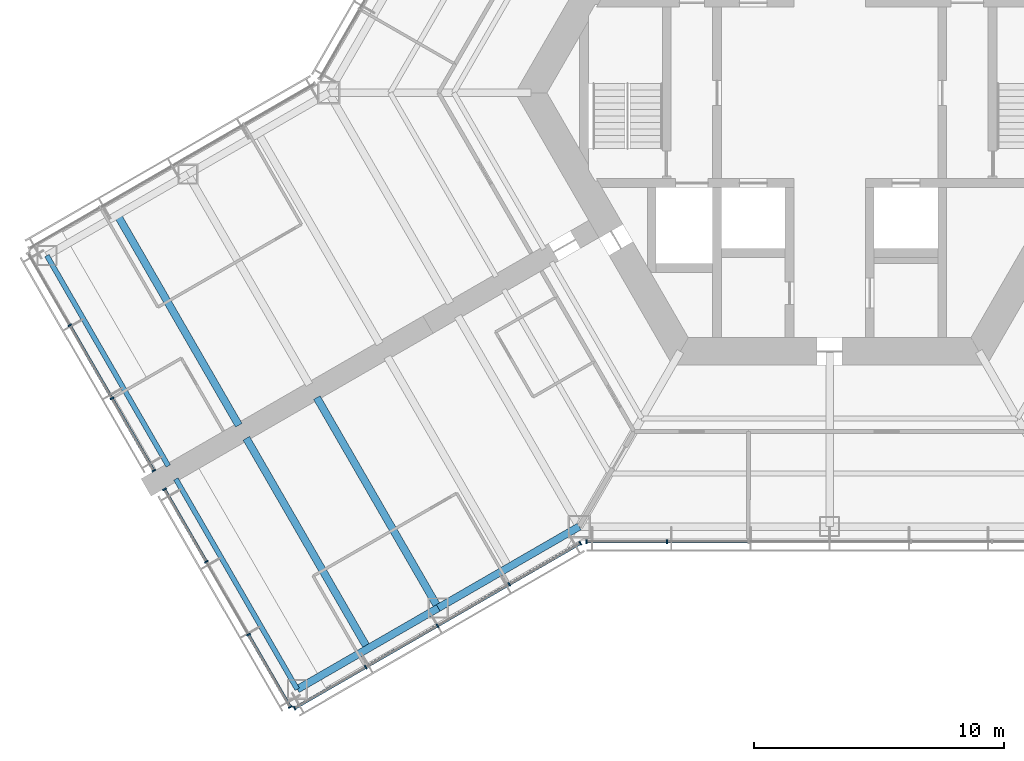
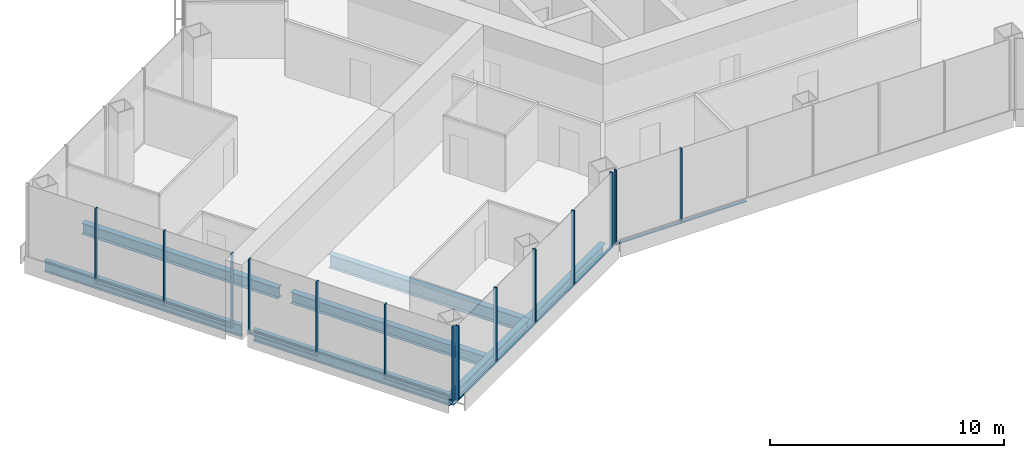
# One storey, part 2 of 18: 24 members, 7 beams, 4 elements without a shape of their own.
"""IFC4 building model written with IfcOpenShell, lengths in metres."""

from ifc_helpers import new_model, si_unit, direction, frame, origin, origin_2d, place, context, subcontext, project, spatial, rectangle, i_section, extrude, material, material_profile, profile_set, type_object, element, aggregate, save


model = new_model("IFC4")

# Units and contexts
model_context = context("Model", 3, precision=1e-05, world=origin(), true_north=direction((0.0, 1.0)))
body_context = subcontext(model_context, "Body", "Model", "MODEL_VIEW")
ifc_project = project(units=[si_unit("LENGTHUNIT", "METRE"), si_unit("AREAUNIT", "SQUARE_METRE"), si_unit("VOLUMEUNIT", "CUBIC_METRE"), si_unit("PLANEANGLEUNIT", "RADIAN"), si_unit("MASSUNIT", "GRAM", prefix="KILO")], contexts=[model_context])

# Site, building, storey
site_placement = place(None, origin())
site = spatial("IfcSite", under=ifc_project, at=site_placement, CompositionType="ELEMENT")
building_placement = place(site_placement, origin())
building = spatial("IfcBuilding", under=site, at=building_placement, Name="Kasaneha Research Tower", CompositionType="ELEMENT")
storey_placement = place(building_placement, frame((0.0, 0.0, 72.89990234375)))
storey = spatial("IfcBuildingStorey", under=building, at=storey_placement, Name="L18", CompositionType="ELEMENT", Elevation=72.89990234375)

# Beams
ifc_material_1 = material(Name="Steel SN490B", Category="steel")
ifc_material_profile_1 = material_profile(ifc_material_1, i_section(OverallWidth=0.300048828125, OverallDepth=0.58203125, WebThickness=0.011962890625, FlangeThickness=0.01708984375, FilletRadius=0.012939453125, at=origin_2d()), Name="H-582x300x12x17")
ifc_profile_set_1 = profile_set([ifc_material_profile_1], Name="Steel SN490B")
beam_type_1 = type_object("IfcBeamType", Name="B2-3 secondary beam H-582x300x12x17", PredefinedType="JOIST", material=ifc_profile_set_1)
for number, where, z_axis, x_axis, name in (
    (1, (-28.44384765625, -4.875, -0.44091796875), (0.500010041276, -0.866019606374, 0.0), (0.866019606374, 0.500010041276, 0.0), "Secondary beam WBBP2 L18"),
    (2, (-18.44384765625, -22.195556640625, -0.44091796875), (-0.499991164321, 0.866030505006, 0.0), (-0.866030505006, -0.499991164321, 0.0), "Secondary beam WBBN2 L18"),
):
    element("IfcBeam", number, at=place(storey_placement, frame(where, z_axis=z_axis, x_axis=x_axis)), inside=storey, type_object=beam_type_1, Name=name, PredefinedType="JOIST", context=body_context, shape_type="SweptSolid", body=[
        extrude(i_section(OverallWidth=0.300048828125, OverallDepth=0.58203125, WebThickness=0.011962890625, FlangeThickness=0.01708984375, FilletRadius=0.012939453125, at=origin_2d()), origin(), (0.0, 0.0, 1.0), 9.699951171875),
    ])

# Curtain wall, members
ifc_material_2 = material(Name="Glass and aluminium", Category="aluminium")
curtain_wall_type = type_object("IfcCurtainWallType", Name="Low-rise office curtain wall", PredefinedType="USERDEFINED", material=ifc_material_2)
curtain_wall_1_placement = place(storey_placement, origin())
curtain_wall_1 = element("IfcCurtainWall", 3, at=curtain_wall_1_placement, inside=storey, type_object=curtain_wall_type, Name="CW-O1 L18 run 01a", ObjectType="UNITISED CURTAIN WALL", PredefinedType="USERDEFINED")
ifc_material_3 = material(Name="Aluminium 6063-T6", Category="aluminium")
ifc_material_profile_2 = material_profile(ifc_material_3, rectangle(XDim=0.06005859375, YDim=0.159912109375, at=origin_2d()), Name="CW-O1 mullion 60x160")
ifc_profile_set_2 = profile_set([ifc_material_profile_2], Name="Aluminium 6063-T6")
member_type_1 = type_object("IfcMemberType", Name="CW-O1 mullion", PredefinedType="MULLION", material=ifc_profile_set_2)
member_1_placement = place(storey_placement, frame((-21.365478515625, -24.5751953125, 0.0), z_axis=(0.0, 0.0, 1.0), x_axis=(0.866025411464, 0.499999986699, 0.0)))
member_1 = element("IfcMember", 4, at=member_1_placement, type_object=member_type_1, Name="CW-O1 mullion 1", PredefinedType="MULLION", context=body_context, shape_type="SweptSolid", body=[
    extrude(rectangle(XDim=0.06005859375, YDim=0.159912109375, at=origin_2d()), origin(), (0.0, 0.0, 1.0), 3.900146484375),
])
member_2_placement = place(storey_placement, frame((-18.52490234375, -22.935302734375, 0.0), z_axis=(0.0, 0.0, 1.0), x_axis=(0.866025411464, 0.499999986699, 0.0)))
member_2 = element("IfcMember", 5, at=member_2_placement, type_object=member_type_1, Name="CW-O1 mullion 2", PredefinedType="MULLION", context=body_context, shape_type="SweptSolid", body=[
    extrude(rectangle(XDim=0.06005859375, YDim=0.159912109375, at=origin_2d()), origin(), (0.0, 0.0, 1.0), 3.900146484375),
])
member_3_placement = place(storey_placement, frame((-15.65869140625, -21.2802734375, 0.0), z_axis=(0.0, 0.0, 1.0), x_axis=(0.866025411464, 0.499999986699, 0.0)))
member_3 = element("IfcMember", 6, at=member_3_placement, type_object=member_type_1, Name="CW-O1 mullion 3", PredefinedType="MULLION", context=body_context, shape_type="SweptSolid", body=[
    extrude(rectangle(XDim=0.06005859375, YDim=0.159912109375, at=origin_2d()), origin(), (0.0, 0.0, 1.0), 3.900146484375),
])
member_4_placement = place(storey_placement, frame((-12.792236328125, -19.62548828125, 0.0), z_axis=(0.0, 0.0, 1.0), x_axis=(0.866025411464, 0.499999986699, 0.0)))
member_4 = element("IfcMember", 7, at=member_4_placement, type_object=member_type_1, Name="CW-O1 mullion 4", PredefinedType="MULLION", context=body_context, shape_type="SweptSolid", body=[
    extrude(rectangle(XDim=0.06005859375, YDim=0.159912109375, at=origin_2d()), origin(), (0.0, 0.0, 1.0), 3.900146484375),
])
member_5_placement = place(storey_placement, frame((-9.951904296875, -17.985595703125, 0.0), z_axis=(0.0, 0.0, 1.0), x_axis=(0.866025411464, 0.499999986699, 0.0)))
member_5 = element("IfcMember", 8, at=member_5_placement, type_object=member_type_1, Name="CW-O1 mullion 5", PredefinedType="MULLION", context=body_context, shape_type="SweptSolid", body=[
    extrude(rectangle(XDim=0.06005859375, YDim=0.159912109375, at=origin_2d()), origin(), (0.0, 0.0, 1.0), 3.900146484375),
])

curtain_wall_2_placement = place(storey_placement, origin())
curtain_wall_2 = element("IfcCurtainWall", 9, at=curtain_wall_2_placement, inside=storey, type_object=curtain_wall_type, Name="CW-O1 L18 run 02a", ObjectType="UNITISED CURTAIN WALL", PredefinedType="USERDEFINED")
member_6_placement = place(storey_placement, frame((-9.709228515625, -17.92041015625, 0.0), z_axis=(0.0, 0.0, 1.0), x_axis=(1.0, 0.0, 0.0)))
member_6 = element("IfcMember", 10, at=member_6_placement, type_object=member_type_1, Name="CW-O1 mullion 1", PredefinedType="MULLION", context=body_context, shape_type="SweptSolid", body=[
    extrude(rectangle(XDim=0.06005859375, YDim=0.159912109375, at=origin_2d()), origin(), (0.0, 0.0, 1.0), 3.900146484375),
])
member_7_placement = place(storey_placement, frame((-6.492919921875, -17.92041015625, 0.0), z_axis=(0.0, 0.0, 1.0), x_axis=(1.0, 0.0, 0.0)))
member_7 = element("IfcMember", 11, at=member_7_placement, type_object=member_type_1, Name="CW-O1 mullion 2", PredefinedType="MULLION", context=body_context, shape_type="SweptSolid", body=[
    extrude(rectangle(XDim=0.06005859375, YDim=0.159912109375, at=origin_2d()), origin(), (0.0, 0.0, 1.0), 3.900146484375),
])

curtain_wall_3_placement = place(storey_placement, origin())
curtain_wall_3 = element("IfcCurtainWall", 12, at=curtain_wall_3_placement, inside=storey, type_object=curtain_wall_type, Name="CW-O1 L18 run 14a", ObjectType="UNITISED CURTAIN WALL", PredefinedType="USERDEFINED")
member_8_placement = place(storey_placement, frame((-30.3447265625, -9.28271484375, 0.0), z_axis=(0.0, 0.0, 1.0), x_axis=(0.500000011442, -0.866025397178, 0.0)))
member_8 = element("IfcMember", 13, at=member_8_placement, type_object=member_type_1, Name="CW-O1 mullion 2", PredefinedType="MULLION", context=body_context, shape_type="SweptSolid", body=[
    extrude(rectangle(XDim=0.06005859375, YDim=0.159912109375, at=origin_2d()), origin(), (0.0, 0.0, 1.0), 3.900146484375),
])
member_9_placement = place(storey_placement, frame((-28.661376953125, -12.1982421875, 0.0), z_axis=(0.0, 0.0, 1.0), x_axis=(0.500000011442, -0.866025397178, 0.0)))
member_9 = element("IfcMember", 14, at=member_9_placement, type_object=member_type_1, Name="CW-O1 mullion 3", PredefinedType="MULLION", context=body_context, shape_type="SweptSolid", body=[
    extrude(rectangle(XDim=0.06005859375, YDim=0.159912109375, at=origin_2d()), origin(), (0.0, 0.0, 1.0), 3.900146484375),
])
member_10_placement = place(storey_placement, frame((-26.992919921875, -15.087890625, 0.0), z_axis=(0.0, 0.0, 1.0), x_axis=(0.500000011442, -0.866025397178, 0.0)))
member_10 = element("IfcMember", 15, at=member_10_placement, type_object=member_type_1, Name="CW-O1 mullion 4", PredefinedType="MULLION", context=body_context, shape_type="SweptSolid", body=[
    extrude(rectangle(XDim=0.06005859375, YDim=0.159912109375, at=origin_2d()), origin(), (0.0, 0.0, 1.0), 3.900146484375),
])

curtain_wall_4_placement = place(storey_placement, origin())
curtain_wall_4 = element("IfcCurtainWall", 16, at=curtain_wall_4_placement, inside=storey, type_object=curtain_wall_type, Name="CW-O1 L18 run 15a", ObjectType="UNITISED CURTAIN WALL", PredefinedType="USERDEFINED")
member_11_placement = place(storey_placement, frame((-26.56298828125, -15.832763671875, 0.0), z_axis=(0.0, 0.0, 1.0), x_axis=(0.500000011442, -0.866025397178, 0.0)))
member_11 = element("IfcMember", 17, at=member_11_placement, type_object=member_type_1, Name="CW-O1 mullion 1", PredefinedType="MULLION", context=body_context, shape_type="SweptSolid", body=[
    extrude(rectangle(XDim=0.06005859375, YDim=0.159912109375, at=origin_2d()), origin(), (0.0, 0.0, 1.0), 3.900146484375),
])
member_12_placement = place(storey_placement, frame((-24.89453125, -18.72216796875, 0.0), z_axis=(0.0, 0.0, 1.0), x_axis=(0.500000011442, -0.866025397178, 0.0)))
member_12 = element("IfcMember", 18, at=member_12_placement, type_object=member_type_1, Name="CW-O1 mullion 2", PredefinedType="MULLION", context=body_context, shape_type="SweptSolid", body=[
    extrude(rectangle(XDim=0.06005859375, YDim=0.159912109375, at=origin_2d()), origin(), (0.0, 0.0, 1.0), 3.900146484375),
])
member_13_placement = place(storey_placement, frame((-23.211181640625, -21.637939453125, 0.0), z_axis=(0.0, 0.0, 1.0), x_axis=(0.500000011442, -0.866025397178, 0.0)))
member_13 = element("IfcMember", 19, at=member_13_placement, type_object=member_type_1, Name="CW-O1 mullion 3", PredefinedType="MULLION", context=body_context, shape_type="SweptSolid", body=[
    extrude(rectangle(XDim=0.06005859375, YDim=0.159912109375, at=origin_2d()), origin(), (0.0, 0.0, 1.0), 3.900146484375),
])
member_14_placement = place(storey_placement, frame((-21.54296875, -24.527587890625, 0.0), z_axis=(0.0, 0.0, 1.0), x_axis=(0.500000011442, -0.866025397178, 0.0)))
member_14 = element("IfcMember", 20, at=member_14_placement, type_object=member_type_1, Name="CW-O1 mullion 4", PredefinedType="MULLION", context=body_context, shape_type="SweptSolid", body=[
    extrude(rectangle(XDim=0.06005859375, YDim=0.159912109375, at=origin_2d()), origin(), (0.0, 0.0, 1.0), 3.900146484375),
])

# Member
ifc_material_4 = material(Name="Aluminium 6063-T6", Category="aluminium")
ifc_material_profile_3 = material_profile(ifc_material_4, rectangle(XDim=0.1201171875, YDim=0.06005859375, at=origin_2d()), Name="CW-O1 transom 120x60")
ifc_profile_set_3 = profile_set([ifc_material_profile_3], Name="Aluminium 6063-T6")
member_type_2 = type_object("IfcMemberType", Name="CW-O1 transom", PredefinedType="USERDEFINED", material=ifc_profile_set_3)
member_15_placement = place(storey_placement, frame((-21.33935546875, -24.56005859375, 0.030029296875), z_axis=(0.866022692473, 0.500004696101, 0.0), x_axis=(-0.500004696101, 0.866022692473, 0.0)))
member_15 = element("IfcMember", 21, at=member_15_placement, type_object=member_type_2, Name="CW-O1 transom 1", ObjectType="TRANSOM", PredefinedType="USERDEFINED", context=body_context, shape_type="SweptSolid", body=[
    extrude(rectangle(XDim=0.1201171875, YDim=0.06005859375, at=origin_2d()), origin(), (0.0, 0.0, 1.0), 3.2197265625),
])

member_16_placement = place(storey_placement, frame((-18.4990234375, -22.920166015625, 0.030029296875), z_axis=(0.86604797581, 0.499960902066, 0.0), x_axis=(-0.499960902066, 0.86604797581, 0.0)))
member_16 = element("IfcMember", 22, at=member_16_placement, type_object=member_type_2, Name="CW-O1 transom 2", ObjectType="TRANSOM", PredefinedType="USERDEFINED", context=body_context, shape_type="SweptSolid", body=[
    extrude(rectangle(XDim=0.1201171875, YDim=0.06005859375, at=origin_2d()), origin(), (0.0, 0.0, 1.0), 3.249755859375),
])

member_17_placement = place(storey_placement, frame((-15.632568359375, -21.265380859375, 0.030029296875), z_axis=(0.866015446554, 0.500017246033, 0.0), x_axis=(-0.500017246033, 0.866015446554, 0.0)))
member_17 = element("IfcMember", 23, at=member_17_placement, type_object=member_type_2, Name="CW-O1 transom 3", ObjectType="TRANSOM", PredefinedType="USERDEFINED", context=body_context, shape_type="SweptSolid", body=[
    extrude(rectangle(XDim=0.1201171875, YDim=0.06005859375, at=origin_2d()), origin(), (0.0, 0.0, 1.0), 3.25),
])

member_18_placement = place(storey_placement, frame((-12.76611328125, -19.6103515625, 0.030029296875), z_axis=(0.866022692473, 0.500004696101, 0.0), x_axis=(-0.500004696101, 0.866022692473, 0.0)))
member_18 = element("IfcMember", 24, at=member_18_placement, type_object=member_type_2, Name="CW-O1 transom 4", ObjectType="TRANSOM", PredefinedType="USERDEFINED", context=body_context, shape_type="SweptSolid", body=[
    extrude(rectangle(XDim=0.1201171875, YDim=0.06005859375, at=origin_2d()), origin(), (0.0, 0.0, 1.0), 3.2197265625),
])

aggregate(curtain_wall_1, [member_1, member_2, member_3, member_4, member_5, member_15, member_16, member_17, member_18])

member_19_placement = place(storey_placement, frame((-9.67919921875, -17.92041015625, 0.030029296875), z_axis=(1.0, 0.0, 0.0), x_axis=(0.0, 1.0, 0.0)))
member_19 = element("IfcMember", 25, at=member_19_placement, type_object=member_type_2, Name="CW-O1 transom 1", ObjectType="TRANSOM", PredefinedType="USERDEFINED", context=body_context, shape_type="SweptSolid", body=[
    extrude(rectangle(XDim=0.1201171875, YDim=0.06005859375, at=origin_2d()), origin(), (0.0, 0.0, 1.0), 3.156494140625),
])

member_20_placement = place(storey_placement, frame((-6.462890625, -17.92041015625, 0.030029296875), z_axis=(1.0, 0.0, 0.0), x_axis=(0.0, 1.0, 0.0)))
member_20 = element("IfcMember", 26, at=member_20_placement, type_object=member_type_2, Name="CW-O1 transom 2", ObjectType="TRANSOM", PredefinedType="USERDEFINED", context=body_context, shape_type="SweptSolid", body=[
    extrude(rectangle(XDim=0.1201171875, YDim=0.06005859375, at=origin_2d()), origin(), (0.0, 0.0, 1.0), 3.1865234375),
])

aggregate(curtain_wall_2, [member_6, member_7, member_19, member_20])

member_21_placement = place(storey_placement, frame((-30.32958984375, -9.30859375, 0.030029296875), z_axis=(0.499982354831, -0.866035590988, 0.0), x_axis=(0.866035590988, 0.499982354831, 0.0)))
member_21 = element("IfcMember", 27, at=member_21_placement, type_object=member_type_2, Name="CW-O1 transom 2", ObjectType="TRANSOM", PredefinedType="USERDEFINED", context=body_context, shape_type="SweptSolid", body=[
    extrude(rectangle(XDim=0.1201171875, YDim=0.06005859375, at=origin_2d()), origin(), (0.0, 0.0, 1.0), 3.306640625),
])

member_22_placement = place(storey_placement, frame((-28.646240234375, -12.22412109375, 0.030029296875), z_axis=(0.499969700927, -0.866042896256, 0.0), x_axis=(0.866042896256, 0.499969700927, 0.0)))
member_22 = element("IfcMember", 28, at=member_22_placement, type_object=member_type_2, Name="CW-O1 transom 3", ObjectType="TRANSOM", PredefinedType="USERDEFINED", context=body_context, shape_type="SweptSolid", body=[
    extrude(rectangle(XDim=0.1201171875, YDim=0.06005859375, at=origin_2d()), origin(), (0.0, 0.0, 1.0), 3.276611328125),
])

aggregate(curtain_wall_3, [member_8, member_9, member_10, member_21, member_22])

member_23_placement = place(storey_placement, frame((-26.5478515625, -15.858642578125, 0.030029296875), z_axis=(0.499969700927, -0.866042896256, 0.0), x_axis=(0.866042896256, 0.499969700927, 0.0)))
member_23 = element("IfcMember", 29, at=member_23_placement, type_object=member_type_2, Name="CW-O1 transom 1", ObjectType="TRANSOM", PredefinedType="USERDEFINED", context=body_context, shape_type="SweptSolid", body=[
    extrude(rectangle(XDim=0.1201171875, YDim=0.06005859375, at=origin_2d()), origin(), (0.0, 0.0, 1.0), 3.276611328125),
])

member_24_placement = place(storey_placement, frame((-23.1962890625, -21.663818359375, 0.030029296875), z_axis=(0.500025583411, -0.866010632691, 0.0), x_axis=(0.866010632691, 0.500025583411, 0.0)))
member_24 = element("IfcMember", 30, at=member_24_placement, type_object=member_type_2, Name="CW-O1 transom 3", ObjectType="TRANSOM", PredefinedType="USERDEFINED", context=body_context, shape_type="SweptSolid", body=[
    extrude(rectangle(XDim=0.1201171875, YDim=0.06005859375, at=origin_2d()), origin(), (0.0, 0.0, 1.0), 3.276611328125),
])

aggregate(curtain_wall_4, [member_11, member_12, member_13, member_14, member_23, member_24])

# Beams
ifc_material_5 = material(Name="Steel SN490B", Category="steel")
ifc_material_profile_4 = material_profile(ifc_material_5, i_section(OverallWidth=0.300048828125, OverallDepth=0.699951171875, WebThickness=0.012939453125, FlangeThickness=0.02392578125, FilletRadius=0.01806640625, at=origin_2d()), Name="H-700x300x13x24")
ifc_profile_set_4 = profile_set([ifc_material_profile_4], Name="Steel SN490B")
beam_type_2 = type_object("IfcBeamType", Name="G4-3 wing girder H-700x300x13x24", PredefinedType="BEAM", material=ifc_profile_set_4)
beam_placement = place(storey_placement, frame((-15.629150390625, -20.570556640625, -0.5), z_axis=(-0.500010041276, 0.866019606374, 0.0), x_axis=(-0.866019606374, -0.500010041276, 0.0)))
element("IfcBeam", 31, at=beam_placement, inside=storey, type_object=beam_type_2, Name="Wing girder WGBN L18", PredefinedType="BEAM", context=body_context, shape_type="SweptSolid", body=[
    extrude(i_section(OverallWidth=0.300048828125, OverallDepth=0.699951171875, WebThickness=0.012939453125, FlangeThickness=0.02392578125, FilletRadius=0.01806640625, at=origin_2d()), origin(), (0.0, 0.0, 1.0), 9.699951171875),
])
ifc_material_6 = material(Name="Steel SN490B", Category="steel")
ifc_material_profile_5 = material_profile(ifc_material_6, i_section(OverallWidth=0.300048828125, OverallDepth=0.58203125, WebThickness=0.011962890625, FlangeThickness=0.01708984375, FilletRadius=0.012939453125, at=origin_2d()), Name="H-582x300x12x17")
ifc_profile_set_5 = profile_set([ifc_material_profile_5], Name="Steel SN490B")
beam_type_3 = type_object("IfcBeamType", Name="SB2-3 spandrel beam H-582x300x12x17", PredefinedType="SPANDREL", material=ifc_profile_set_5)
for number, where, z_axis, x_axis, name in (
    (32, (-10.0, -17.320556640625, -0.44091796875), (-0.866024837091, -0.50000098154, 0.0), (0.50000098154, -0.866024837091, 0.0), "Spandrel beam WSBN1 L18"),
    (33, (-15.629150390625, -20.570556640625, -0.44091796875), (-0.866024837091, -0.50000098154, 0.0), (0.50000098154, -0.866024837091, 0.0), "Spandrel beam WSBN2 L18"),
):
    element("IfcBeam", number, at=place(storey_placement, frame(where, z_axis=z_axis, x_axis=x_axis)), inside=storey, type_object=beam_type_3, Name=name, PredefinedType="SPANDREL", context=body_context, shape_type="SweptSolid", body=[
        extrude(i_section(OverallWidth=0.300048828125, OverallDepth=0.58203125, WebThickness=0.011962890625, FlangeThickness=0.01708984375, FilletRadius=0.012939453125, at=origin_2d()), origin(), (0.0, 0.0, 1.0), 6.5),
    ])
ifc_material_7 = material(Name="Steel SN490B", Category="steel")
ifc_material_profile_6 = material_profile(ifc_material_7, i_section(OverallWidth=0.199951171875, OverallDepth=0.60009765625, WebThickness=0.010986328125, FlangeThickness=0.01708984375, FilletRadius=0.012939453125, at=origin_2d()), Name="H-600x200x11x17")
ifc_profile_set_6 = profile_set([ifc_material_profile_6], Name="Steel SN490B")
beam_type_4 = type_object("IfcBeamType", Name="SB3-3 spandrel beam H-600x200x11x17", PredefinedType="SPANDREL", material=ifc_profile_set_6)
for number, where, z_axis, x_axis, name in (
    (34, (-31.25830078125, -6.5, -0.449951171875), (0.499991164321, -0.866030505006, 0.0), (0.866030505006, 0.499991164321, 0.0), "Spandrel beam WTBP L18"),
    (35, (-21.25830078125, -23.820556640625, -0.449951171875), (-0.500010041276, 0.866019606374, 0.0), (-0.866019606374, -0.500010041276, 0.0), "Spandrel beam WTBN L18"),
):
    element("IfcBeam", number, at=place(storey_placement, frame(where, z_axis=z_axis, x_axis=x_axis)), inside=storey, type_object=beam_type_4, Name=name, PredefinedType="SPANDREL", context=body_context, shape_type="SweptSolid", body=[
        extrude(i_section(OverallWidth=0.199951171875, OverallDepth=0.60009765625, WebThickness=0.010986328125, FlangeThickness=0.01708984375, FilletRadius=0.012939453125, at=origin_2d()), origin(), (0.0, 0.0, 1.0), 9.699951171875),
    ])

save(model, "model.ifc")
